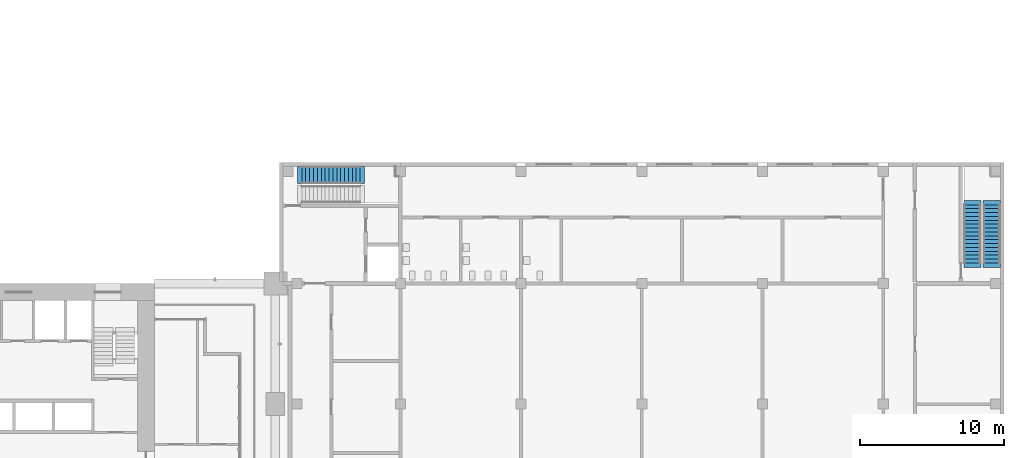
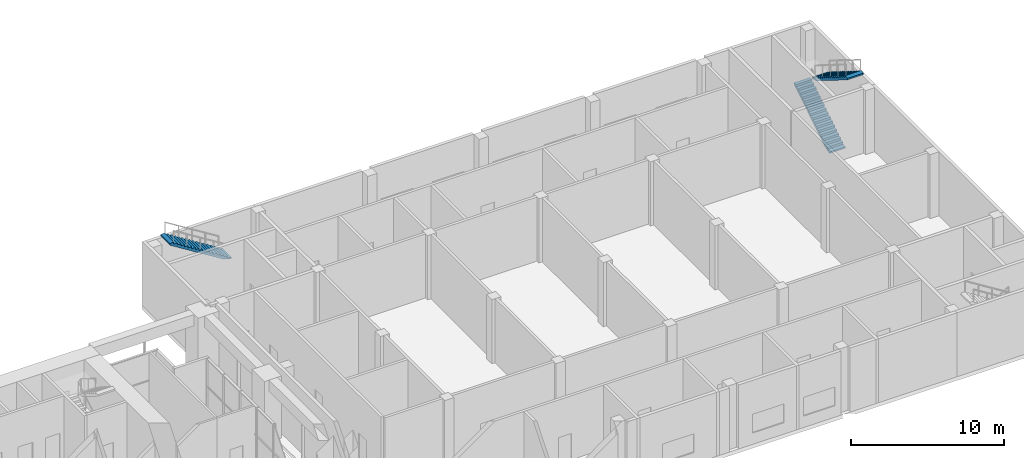
# One storey, part 18 of 26: 3 stair flights, 2 elements without a shape of their own.
"""IFC4 building model written with IfcOpenShell, lengths in metres."""

from ifc_helpers import new_model, si_unit, direction, frame, origin, place, context, subcontext, project, spatial, polyline, outline, extrude, material, type_object, element, aggregate, save


model = new_model("IFC4")

# Units and contexts
model_context = context("Model", 3, precision=1e-05, world=origin(), true_north=direction((0.0, 1.0)))
body_context = subcontext(model_context, "Body", "Model", "MODEL_VIEW")
ifc_project = project(units=[si_unit("LENGTHUNIT", "METRE"), si_unit("AREAUNIT", "SQUARE_METRE"), si_unit("VOLUMEUNIT", "CUBIC_METRE"), si_unit("PLANEANGLEUNIT", "RADIAN"), si_unit("MASSUNIT", "GRAM", prefix="KILO")], contexts=[model_context])

# Site, building, storey
site_placement = place(None, origin())
site = spatial("IfcSite", under=ifc_project, at=site_placement, CompositionType="ELEMENT")
building_placement = place(site_placement, origin())
building = spatial("IfcBuilding", under=site, at=building_placement, Name="Vermilion Gate Residences", CompositionType="ELEMENT")
storey_placement = place(building_placement, frame((0.0, 0.0, 9.0)))
storey = spatial("IfcBuildingStorey", under=building, at=storey_placement, Name="L01", CompositionType="ELEMENT", Elevation=9.0)

# Stair, stair flight
ifc_material_1 = material(Name="Concrete C35", Category="concrete")
stair_type = type_object("IfcStairType", Name="RC STAIR 1200 (MARKET HALL)", PredefinedType="HALF_TURN_STAIR", material=ifc_material_1)
stair_1_placement = place(storey_placement, origin())
stair_1 = element("IfcStair", 1, at=stair_1_placement, inside=storey, type_object=stair_type, Name="Stair STH1-01", PredefinedType="HALF_TURN_STAIR")
ifc_material_2 = material(Name="Concrete C35", Category="concrete")
stair_flight_type = type_object("IfcStairFlightType", Name="RC STAIR FLIGHT 1200 (MARKET HALL)", PredefinedType="STRAIGHT", material=ifc_material_2)
stair_flight_1_placement = place(storey_placement, frame((73.10009765625, 32.75, 2.699951171875), z_axis=(0.0, 0.0, 1.0), x_axis=(-1.0, 0.0, 0.0)))
stair_flight_1 = element("IfcStairFlight", 2, at=stair_flight_1_placement, type_object=stair_flight_type, Name="STH1-01 flight 2", NumberOfRisers=16, NumberOfTreads=15, PredefinedType="STRAIGHT", RiserHeight=0.16875, TreadLength=0.27, context=body_context, shape_type="SweptSolid", body=[
    extrude(outline(polyline([(-0.300048828125, -0.14990234375), (-0.300048828125, -0.030029296875), (0.0, 0.0), (0.0, 0.168701171875), (0.27001953125, 0.168701171875), (0.27001953125, 0.33740234375), (0.5400390625, 0.33740234375), (0.5400390625, 0.50634765625), (0.81005859375, 0.50634765625), (0.81005859375, 0.675048828125), (1.080078125, 0.675048828125), (1.080078125, 0.84375), (1.35009765625, 0.84375), (1.35009765625, 1.012451171875), (1.6201171875, 1.012451171875), (1.6201171875, 1.18115234375), (1.889892578125, 1.18115234375), (1.889892578125, 1.35009765625), (2.159912109375, 1.35009765625), (2.159912109375, 1.518798828125), (2.429931640625, 1.518798828125), (2.429931640625, 1.6875), (2.699951171875, 1.6875), (2.699951171875, 1.856201171875), (2.969970703125, 1.856201171875), (2.969970703125, 2.02490234375), (3.239990234375, 2.02490234375), (3.239990234375, 2.19384765625), (3.510009765625, 2.19384765625), (3.510009765625, 2.362548828125), (3.780029296875, 2.362548828125), (3.780029296875, 2.53125), (4.050048828125, 2.53125), (4.050048828125, 2.699951171875), (4.35009765625, 2.669921875), (4.35009765625, 2.550048828125), (4.050048828125, 2.3544921875), (0.28271484375, 0.0), (-0.300048828125, -0.14990234375)])), frame((0.0, 0.60009765625, 0.0), z_axis=(0.0, -1.0, 0.0), x_axis=(1.0, 0.0, 0.0)), (0.0, 0.0, 1.0), 1.199951171875),
])
aggregate(stair_1, [stair_flight_1])

# Stair, stair flights
stair_2_placement = place(storey_placement, origin())
stair_2 = element("IfcStair", 3, at=stair_2_placement, inside=storey, type_object=stair_type, Name="Stair STH3-01", PredefinedType="HALF_TURN_STAIR")
stair_flight_2_placement = place(storey_placement, frame((115.699951171875, 26.625, 0.0), z_axis=(0.0, 0.0, 1.0), x_axis=(0.0, 1.0, 0.0)))
stair_flight_2 = element("IfcStairFlight", 4, at=stair_flight_2_placement, type_object=stair_flight_type, Name="STH3-01 flight 1", NumberOfRisers=16, NumberOfTreads=15, PredefinedType="STRAIGHT", RiserHeight=0.16875, TreadLength=0.27, context=body_context, shape_type="SweptSolid", body=[
    extrude(outline(polyline([(-0.300048828125, -0.14990234375), (-0.300048828125, -0.030029296875), (0.0, 0.0), (0.0, 0.168701171875), (0.27001953125, 0.168701171875), (0.27001953125, 0.33740234375), (0.5400390625, 0.33740234375), (0.5400390625, 0.50634765625), (0.81005859375, 0.50634765625), (0.81005859375, 0.675048828125), (1.080078125, 0.675048828125), (1.080078125, 0.84375), (1.35009765625, 0.84375), (1.35009765625, 1.012451171875), (1.6201171875, 1.012451171875), (1.6201171875, 1.18115234375), (1.889892578125, 1.18115234375), (1.889892578125, 1.35009765625), (2.159912109375, 1.35009765625), (2.159912109375, 1.518798828125), (2.429931640625, 1.518798828125), (2.429931640625, 1.6875), (2.699951171875, 1.6875), (2.699951171875, 1.856201171875), (2.969970703125, 1.856201171875), (2.969970703125, 2.02490234375), (3.239990234375, 2.02490234375), (3.239990234375, 2.19384765625), (3.510009765625, 2.19384765625), (3.510009765625, 2.362548828125), (3.780029296875, 2.362548828125), (3.780029296875, 2.53125), (4.050048828125, 2.53125), (4.050048828125, 2.699951171875), (4.35009765625, 2.669921875), (4.35009765625, 2.550048828125), (4.050048828125, 2.3544921875), (0.28271484375, 0.0), (-0.300048828125, -0.14990234375)])), frame((0.0, 0.60009765625, 0.0), z_axis=(0.0, -1.0, 0.0), x_axis=(1.0, 0.0, 0.0)), (0.0, 0.0, 1.0), 1.199951171875),
])
stair_flight_3_placement = place(storey_placement, frame((117.050048828125, 30.675048828125, 2.699951171875), z_axis=(0.0, 0.0, 1.0), x_axis=(0.0, -1.0, 0.0)))
stair_flight_3 = element("IfcStairFlight", 5, at=stair_flight_3_placement, type_object=stair_flight_type, Name="STH3-01 flight 2", NumberOfRisers=16, NumberOfTreads=15, PredefinedType="STRAIGHT", RiserHeight=0.16875, TreadLength=0.27, context=body_context, shape_type="SweptSolid", body=[
    extrude(outline(polyline([(-0.300048828125, -0.14990234375), (-0.300048828125, -0.030029296875), (0.0, 0.0), (0.0, 0.168701171875), (0.27001953125, 0.168701171875), (0.27001953125, 0.33740234375), (0.5400390625, 0.33740234375), (0.5400390625, 0.50634765625), (0.81005859375, 0.50634765625), (0.81005859375, 0.675048828125), (1.080078125, 0.675048828125), (1.080078125, 0.84375), (1.35009765625, 0.84375), (1.35009765625, 1.012451171875), (1.6201171875, 1.012451171875), (1.6201171875, 1.18115234375), (1.889892578125, 1.18115234375), (1.889892578125, 1.35009765625), (2.159912109375, 1.35009765625), (2.159912109375, 1.518798828125), (2.429931640625, 1.518798828125), (2.429931640625, 1.6875), (2.699951171875, 1.6875), (2.699951171875, 1.856201171875), (2.969970703125, 1.856201171875), (2.969970703125, 2.02490234375), (3.239990234375, 2.02490234375), (3.239990234375, 2.19384765625), (3.510009765625, 2.19384765625), (3.510009765625, 2.362548828125), (3.780029296875, 2.362548828125), (3.780029296875, 2.53125), (4.050048828125, 2.53125), (4.050048828125, 2.699951171875), (4.35009765625, 2.669921875), (4.35009765625, 2.550048828125), (4.050048828125, 2.3544921875), (0.28271484375, 0.0), (-0.300048828125, -0.14990234375)])), frame((0.0, 0.60009765625, 0.0), z_axis=(0.0, -1.0, 0.0), x_axis=(1.0, 0.0, 0.0)), (0.0, 0.0, 1.0), 1.199951171875),
])
aggregate(stair_2, [stair_flight_2, stair_flight_3])

save(model, "model.ifc")
